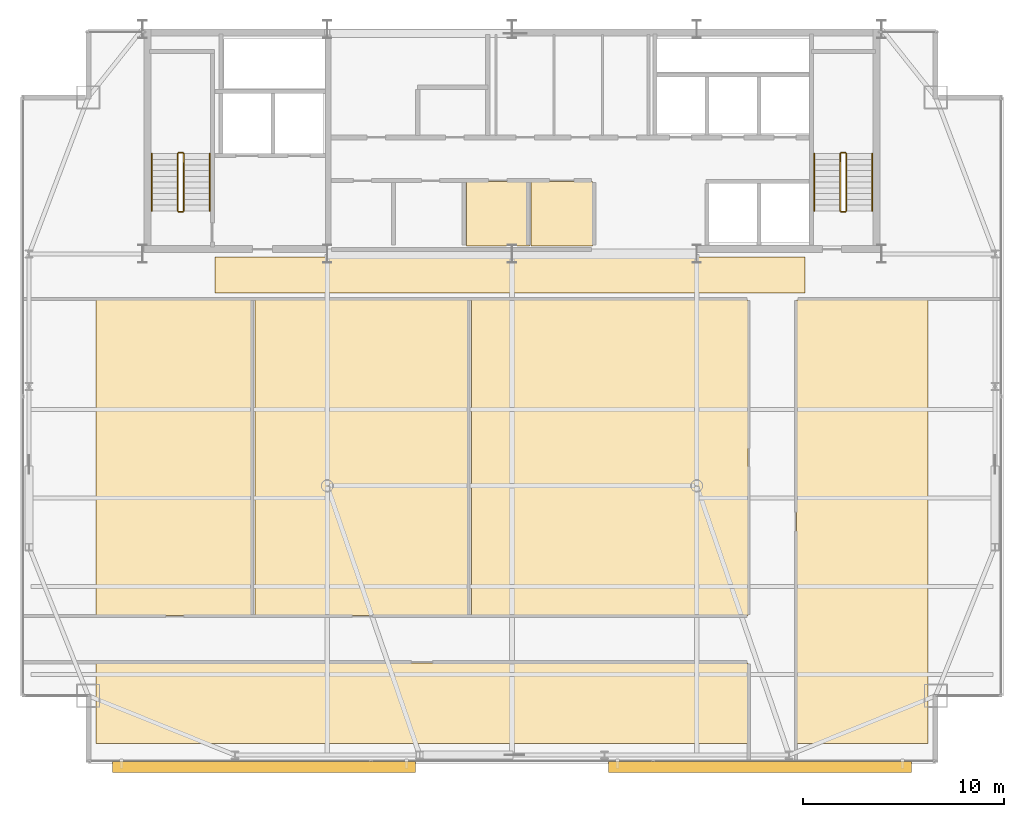
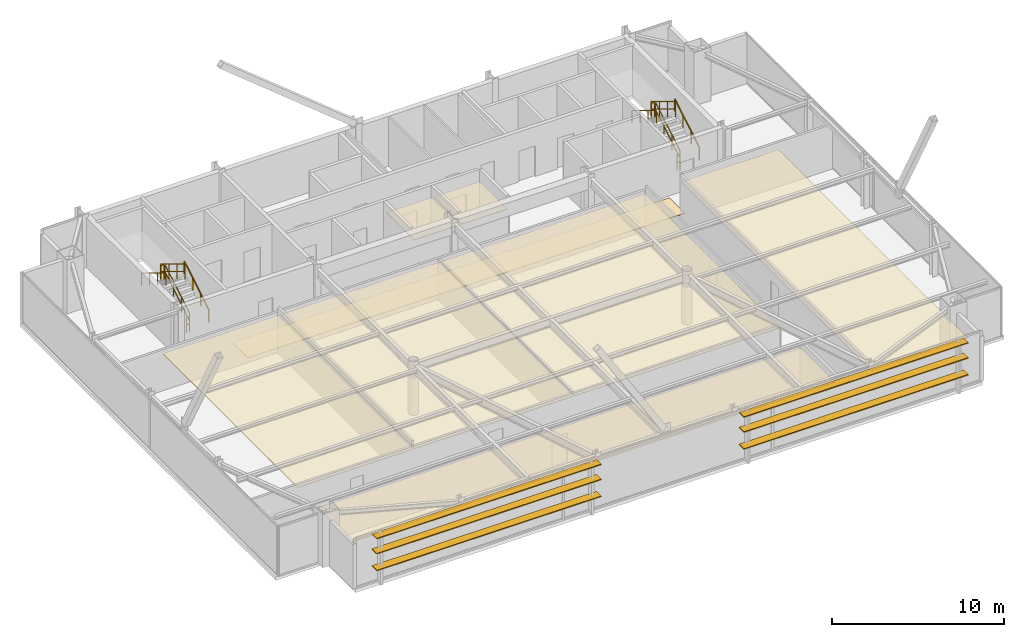
# One storey, part 27 of 27: 12 railings, 8 coverings, 6 shading devices.
"""IFC4 building model written with IfcOpenShell, lengths in metres."""

import ifcopenshell
import ifcopenshell.guid

model = None  # the IFC model being written
_history = None  # IfcOwnerHistory: only IFC2X3 demands one
_inside = {}  # id of a spatial element -> (the spatial element, [elements in it])
_under = {}  # id of a project, library or spatial element -> (it, [spatial elements below it])
_declared = {}  # id of a project -> (the project, [libraries it declares])
_typed = {}  # id of a type object -> (the type object, [elements of that type])
_made_of = {}  # id of a material, layer set ... -> (it, [elements and type objects made of it])


def new_model(schema):
    """Start an empty IFC model of exactly this schema.

    Asked for "IFC4X3", IfcOpenShell would pick the latest addendum, in which some entities
    have other attributes; the version numbers below select the first issue.
    IFC2X3 requires an IfcOwnerHistory on every rooted entity: one is made here for all.
    """
    global model, _history
    if schema == "IFC4X3":
        model = ifcopenshell.file(schema_version=(4, 3, 0, 0))
    else:
        model = ifcopenshell.file(schema=schema)
    _inside.clear()
    _under.clear()
    _declared.clear()
    _typed.clear()
    _made_of.clear()
    _history = None
    if model.schema == "IFC2X3":
        org = make("IfcOrganization", Name="unknown")
        user = make(
            "IfcPersonAndOrganization",
            ThePerson=make("IfcPerson", FamilyName="unknown"),
            TheOrganization=org,
        )
        app = make(
            "IfcApplication",
            ApplicationDeveloper=org,
            Version="unknown",
            ApplicationFullName="unknown",
            ApplicationIdentifier="unknown",
        )
        _history = make(
            "IfcOwnerHistory",
            OwningUser=user,
            OwningApplication=app,
            ChangeAction="ADDED",
            CreationDate=0,
        )
    return model


def make(cls, **values):
    """One entity of the class cls with the attributes given. An attribute that is None is left unset."""
    return model.create_entity(
        cls, **{name: value for name, value in values.items() if value is not None}
    )


def rooted(cls, **values):
    """An entity with a GlobalId (a new one), such as an element, a storey or a relation."""
    return make(cls, GlobalId=ifcopenshell.guid.new(), OwnerHistory=_history, **values)


def si_unit(unit_type, name, prefix=None):
    """IfcSIUnit, for example si_unit("LENGTHUNIT", "METRE", prefix="MILLI")."""
    return make("IfcSIUnit", UnitType=unit_type, Prefix=prefix, Name=name)


def assignment(units):
    """IfcUnitAssignment: the units of a project."""
    return None if units is None else make("IfcUnitAssignment", Units=units)


def point(xyz):
    """IfcCartesianPoint."""
    return None if xyz is None else make("IfcCartesianPoint", Coordinates=xyz)


def direction(xyz):
    """IfcDirection."""
    return None if xyz is None else make("IfcDirection", DirectionRatios=xyz)


def frame(location, z_axis=None, x_axis=None):
    """IfcAxis2Placement3D, a coordinate frame: its origin and axes. An axis left out is left unset."""
    return make(
        "IfcAxis2Placement3D",
        Location=point(location),
        Axis=direction(z_axis),
        RefDirection=direction(x_axis),
    )


def frame_2d(location, x_axis=None):
    """IfcAxis2Placement2D, a coordinate frame in the plane: its origin and x axis."""
    return make(
        "IfcAxis2Placement2D", Location=point(location), RefDirection=direction(x_axis)
    )


def origin():
    """The frame at (0, 0, 0) with its axes left unset."""
    return frame((0.0, 0.0, 0.0))


def origin_2d():
    """The frame at (0, 0) in the plane with its x axis left unset."""
    return frame_2d((0.0, 0.0))


def place(relative_to, where):
    """IfcLocalPlacement: puts the frame where relative to a parent placement (None: the world)."""
    return make(
        "IfcLocalPlacement", PlacementRelTo=relative_to, RelativePlacement=where
    )


def context(
    kind, dimensions, precision=None, world=None, true_north=None, identifier=None
):
    """IfcGeometricRepresentationContext, for example the 3D "Model" context."""
    return make(
        "IfcGeometricRepresentationContext",
        ContextIdentifier=identifier,
        ContextType=kind,
        CoordinateSpaceDimension=dimensions,
        Precision=precision,
        WorldCoordinateSystem=world,
        TrueNorth=true_north,
    )


def subcontext(parent, identifier, kind, view, scale=None):
    """IfcGeometricRepresentationSubContext, for example "Body" below "Model"."""
    return make(
        "IfcGeometricRepresentationSubContext",
        ContextIdentifier=identifier,
        ContextType=kind,
        ParentContext=parent,
        TargetScale=scale,
        TargetView=view,
    )


def project(units=None, contexts=None):
    """IfcProject with its units and contexts."""
    return rooted(
        "IfcProject",
        Name="project",
        RepresentationContexts=contexts,
        UnitsInContext=assignment(units),
    )


def spatial(cls, under=None, at=None, **own):
    """A site, building, storey or space (cls), placed at a placement, below another one or the project."""
    s = rooted(cls, ObjectPlacement=at, **own)
    if under is not None:
        _under.setdefault(under.id(), (under, []))[1].append(s)
    return s


def polyline(points):
    """IfcPolyline through the points."""
    return make("IfcPolyline", Points=[point(p) for p in points])


def profile(cls, at=None, kind="AREA", **sizes):
    """A parametric profile (cls). Its sizes go by their IFC names, for example OverallWidth=200.0."""
    return make(cls, ProfileType=kind, Position=at, **sizes)


def rectangle(**sizes):
    """IfcRectangleProfileDef."""
    return profile("IfcRectangleProfileDef", **sizes)


def outline(outer, holes=None, kind="AREA"):
    """IfcArbitraryClosedProfileDef: a profile drawn as a closed curve; with holes, ...WithVoids."""
    if holes is None:
        return make("IfcArbitraryClosedProfileDef", ProfileType=kind, OuterCurve=outer)
    return make(
        "IfcArbitraryProfileDefWithVoids",
        ProfileType=kind,
        OuterCurve=outer,
        InnerCurves=holes,
    )


def extrude(swept, where, along, depth):
    """IfcExtrudedAreaSolid: the profile swept, set in the frame where, extruded along a direction by depth."""
    return make(
        "IfcExtrudedAreaSolid",
        SweptArea=swept,
        Position=where,
        ExtrudedDirection=direction(along),
        Depth=depth,
    )


def shape(context_of_items, identifier, shape_type, items):
    """IfcShapeRepresentation: the items that make up one representation, for example the "Body"."""
    return make(
        "IfcShapeRepresentation",
        ContextOfItems=context_of_items,
        RepresentationIdentifier=identifier,
        RepresentationType=shape_type,
        Items=items,
    )


def source(mapping_origin, context_of_items, identifier, shape_type, items):
    """IfcRepresentationMap: a shape defined once, which mapped items show again and again."""
    return make(
        "IfcRepresentationMap",
        MappingOrigin=mapping_origin,
        MappedRepresentation=shape(context_of_items, identifier, shape_type, items),
    )


def transform(
    local_origin,
    x_axis=None,
    y_axis=None,
    z_axis=None,
    scale=None,
    scale2=None,
    scale3=None,
    uniform=True,
):
    """IfcCartesianTransformationOperator3D, or its non-uniform kind. x_axis, y_axis, z_axis: its Axis1, 2, 3."""
    if uniform:
        return make(
            "IfcCartesianTransformationOperator3D",
            Axis1=direction(x_axis),
            Axis2=direction(y_axis),
            LocalOrigin=point(local_origin),
            Scale=scale,
            Axis3=direction(z_axis),
        )
    return make(
        "IfcCartesianTransformationOperator3DnonUniform",
        Axis1=direction(x_axis),
        Axis2=direction(y_axis),
        LocalOrigin=point(local_origin),
        Scale=scale,
        Axis3=direction(z_axis),
        Scale2=scale2,
        Scale3=scale3,
    )


def mapped(mapping_source, mapping_target):
    """IfcMappedItem: shows the shape of a source again, moved by a transform."""
    return make(
        "IfcMappedItem", MappingSource=mapping_source, MappingTarget=mapping_target
    )


def material(Name=None, Category=None):
    """IfcMaterial."""
    return make("IfcMaterial", Name=Name, Category=Category)


def layer(
    of_material, thickness, ventilated=None, Name=None, Category=None, Priority=None
):
    """IfcMaterialLayer: one layer of a wall or slab, of a material (None: an air gap)."""
    return make(
        "IfcMaterialLayer",
        Material=of_material,
        LayerThickness=thickness,
        IsVentilated=ventilated,
        Name=Name,
        Category=Category,
        Priority=Priority,
    )


def layer_set(layers, Name=None):
    """IfcMaterialLayerSet."""
    return make("IfcMaterialLayerSet", MaterialLayers=layers, LayerSetName=Name)


def made_of(thing, what):
    """Note that an element or type object is made of a material, layer set ...; save() writes the relation."""
    if what is not None:
        _made_of.setdefault(what.id(), (what, []))[1].append(thing)
    return thing


def type_object(cls, material=None, **own):
    """A type object (cls), such as IfcWallType, which elements share."""
    return made_of(rooted(cls, **own), material)


def type_shapes(of_type, sources):
    """Give a type object the sources (RepresentationMaps) that its elements show as mapped items."""
    of_type.RepresentationMaps = sources


def element(
    cls,
    number,
    at=None,
    inside=None,
    cuts=None,
    type_object=None,
    material=None,
    context=None,
    identifier="Body",
    shape_type=None,
    held_by="IfcProductDefinitionShape",
    body=None,
    shapes=None,
    **own,
):
    """One element of the class cls, such as IfcWall. Its Tag is "e" and its number.

    at: its placement. inside: the storey or other place that contains it. cuts: it is an
    opening in that element (IfcRelVoidsElement). A single representation is given by context,
    identifier, shape_type and body (its items); several are given by shapes. held_by: the class
    of the entity that holds the representations. save() writes the other relations.
    """
    e = rooted(cls, Tag="e%d" % number, ObjectPlacement=at, **own)
    if body is not None:
        shapes = [shape(context, identifier, shape_type, body)]
    if shapes is not None:
        e.Representation = make(held_by, Representations=shapes)
    if inside is not None:
        _inside.setdefault(inside.id(), (inside, []))[1].append(e)
    if cuts is not None:
        rooted(
            "IfcRelVoidsElement", RelatingBuildingElement=cuts, RelatedOpeningElement=e
        )
    if type_object is not None:
        _typed.setdefault(type_object.id(), (type_object, []))[1].append(e)
    return made_of(e, material)


def aggregate(whole, parts):
    """IfcRelAggregates: a whole, such as a stair, and the parts it consists of."""
    return rooted("IfcRelAggregates", RelatingObject=whole, RelatedObjects=parts)


def save(model, path):
    """Write the relations noted so far, then the file.

    IfcRelAggregates (storeys below a building ...), IfcRelContainedInSpatialStructure (elements
    in a storey), IfcRelDefinesByType, IfcRelAssociatesMaterial and IfcRelDeclares: one each for
    every whole, place, type object, material and project.
    """
    for whole, parts in _under.values():
        aggregate(whole, parts)
    for where, things in _inside.values():
        rooted(
            "IfcRelContainedInSpatialStructure",
            RelatedElements=things,
            RelatingStructure=where,
        )
    for kind, things in _typed.values():
        rooted("IfcRelDefinesByType", RelatedObjects=things, RelatingType=kind)
    for what, things in _made_of.values():
        rooted("IfcRelAssociatesMaterial", RelatedObjects=things, RelatingMaterial=what)
    for by, libraries in _declared.values():
        rooted("IfcRelDeclares", RelatingContext=by, RelatedDefinitions=libraries)
    model.write(path)


model = new_model("IFC4")

# Units and contexts
model_context = context("Model", 3, precision=1e-05, world=origin(), true_north=direction((0.0, 1.0)))
body_context = subcontext(model_context, "Body", "Model", "MODEL_VIEW")
ifc_project = project(units=[si_unit("LENGTHUNIT", "METRE"), si_unit("AREAUNIT", "SQUARE_METRE"), si_unit("VOLUMEUNIT", "CUBIC_METRE"), si_unit("PLANEANGLEUNIT", "RADIAN"), si_unit("MASSUNIT", "GRAM", prefix="KILO")], contexts=[model_context])

# Site, building, storey
site_placement = place(None, origin())
site = spatial("IfcSite", under=ifc_project, at=site_placement, CompositionType="ELEMENT")
building_placement = place(site_placement, origin())
building = spatial("IfcBuilding", under=site, at=building_placement, Name="Varnel Quay Broadcast Tower", CompositionType="ELEMENT")
storey_placement = place(building_placement, frame((0.0, 0.0, 203.60009765625)))
storey = spatial("IfcBuildingStorey", under=building, at=storey_placement, Name="L50", CompositionType="ELEMENT", Elevation=203.60009765625)

# Coverings
ifc_material_1 = material(Name="Micro-Perforated Acoustic Ceiling Tile")
ifc_layer_1 = layer(ifc_material_1, 0.0400390625, Name="Micro-Perforated Acoustic Ceiling Tile")
ifc_layer_set_1 = layer_set([ifc_layer_1], Name="Micro-Perforated Acoustic Ceiling Tile")
covering_type_1 = type_object("IfcCoveringType", Name="Cov_AcousticCeiling", PredefinedType="CEILING", material=ifc_layer_set_1)
covering_1_placement = place(storey_placement, frame((0.0, 0.0, 2.579833984375)))
element("IfcCovering", 1, at=covering_1_placement, inside=storey, type_object=covering_type_1, Name="L50 Broadcast First-Aid & Quiet Room Acoustic Ceiling", PredefinedType="CEILING", context=body_context, shape_type="SweptSolid", body=[
    extrude(outline(polyline([(31.735107421875, 35.985107421875), (34.864990234375, 35.985107421875), (34.864990234375, 39.215087890625), (31.735107421875, 39.215087890625), (31.735107421875, 35.985107421875)])), origin(), (0.0, 0.0, 1.0), 0.0400390625),
])
covering_2_placement = place(storey_placement, frame((0.0, 0.0, 2.579833984375)))
element("IfcCovering", 2, at=covering_2_placement, inside=storey, type_object=covering_type_1, Name="L50 Zone Lighting Dimmer Room Acoustic Ceiling", PredefinedType="CEILING", context=body_context, shape_type="SweptSolid", body=[
    extrude(outline(polyline([(34.93505859375, 35.985107421875), (38.014892578125, 35.985107421875), (38.014892578125, 39.215087890625), (34.93505859375, 39.215087890625), (34.93505859375, 35.985107421875)])), origin(), (0.0, 0.0, 1.0), 0.0400390625),
])
covering_3_placement = place(storey_placement, frame((0.0, 0.0, 2.579833984375)))
element("IfcCovering", 3, at=covering_3_placement, inside=storey, type_object=covering_type_1, Name="L50 Editorial Boardroom 1 Acoustic Ceiling", PredefinedType="CEILING", context=body_context, shape_type="SweptSolid", body=[
    extrude(outline(polyline([(13.284912109375, 11.22509765625), (45.7548828125, 11.22509765625), (45.7548828125, 15.235107421875), (13.284912109375, 15.235107421875), (13.284912109375, 11.22509765625)])), origin(), (0.0, 0.0, 1.0), 0.0400390625),
])
covering_4_placement = place(storey_placement, frame((0.0, 0.0, 2.579833984375)))
element("IfcCovering", 4, at=covering_4_placement, inside=storey, type_object=covering_type_1, Name="L50 Break Kitchen 2 Acoustic Ceiling", PredefinedType="CEILING", context=body_context, shape_type="SweptSolid", body=[
    extrude(outline(polyline([(13.284912109375, 17.60498046875), (21.125, 17.60498046875), (21.125, 33.31494140625), (13.284912109375, 33.31494140625), (13.284912109375, 17.60498046875)])), origin(), (0.0, 0.0, 1.0), 0.0400390625),
])
covering_5_placement = place(storey_placement, frame((0.0, 0.0, 2.579833984375)))
element("IfcCovering", 5, at=covering_5_placement, inside=storey, type_object=covering_type_1, Name="L50 Press Green Lounge 3 Acoustic Ceiling", PredefinedType="CEILING", context=body_context, shape_type="SweptSolid", body=[
    extrude(outline(polyline([(21.195068359375, 17.60498046875), (31.905029296875, 17.60498046875), (31.905029296875, 33.31494140625), (21.195068359375, 33.31494140625), (21.195068359375, 17.60498046875)])), origin(), (0.0, 0.0, 1.0), 0.0400390625),
])
covering_6_placement = place(storey_placement, frame((0.0, 0.0, 2.579833984375)))
element("IfcCovering", 6, at=covering_6_placement, inside=storey, type_object=covering_type_1, Name="L50 Camera Locker Store 4 Acoustic Ceiling", PredefinedType="CEILING", context=body_context, shape_type="SweptSolid", body=[
    extrude(outline(polyline([(31.97509765625, 17.60498046875), (45.7548828125, 17.60498046875), (45.7548828125, 33.31494140625), (31.97509765625, 33.31494140625), (31.97509765625, 17.60498046875)])), origin(), (0.0, 0.0, 1.0), 0.0400390625),
])
covering_7_placement = place(storey_placement, frame((0.0, 0.0, 2.579833984375)))
element("IfcCovering", 7, at=covering_7_placement, inside=storey, type_object=covering_type_1, Name="L50 Broadcast Newsroom 5 Acoustic Ceiling", PredefinedType="CEILING", context=body_context, shape_type="SweptSolid", body=[
    extrude(outline(polyline([(48.175048828125, 11.22509765625), (54.715087890625, 11.22509765625), (54.715087890625, 33.31494140625), (48.175048828125, 33.31494140625), (48.175048828125, 11.22509765625)])), origin(), (0.0, 0.0, 1.0), 0.0400390625),
])
ifc_material_2 = material(Name="Polished Terrazzo & Broadcast Raised Flooring")
ifc_layer_2 = layer(ifc_material_2, 0.0400390625, Name="Polished Terrazzo & Broadcast Raised Flooring")
ifc_layer_set_2 = layer_set([ifc_layer_2], Name="Polished Terrazzo & Broadcast Raised Flooring")
covering_type_2 = type_object("IfcCoveringType", Name="Cov_TerrazzoFloor", PredefinedType="FLOORING", material=ifc_layer_set_2)
covering_8_placement = place(storey_placement, origin())
element("IfcCovering", 8, at=covering_8_placement, inside=storey, type_object=covering_type_2, Name="L50 Corridor Terrazzo Flooring", PredefinedType="FLOORING", context=body_context, shape_type="SweptSolid", body=[
    extrude(outline(polyline([(19.199951171875, 33.64990234375), (48.60009765625, 33.64990234375), (48.60009765625, 35.449951171875), (19.199951171875, 35.449951171875), (19.199951171875, 33.64990234375)])), origin(), (0.0, 0.0, 1.0), 0.039794921875),
])

# Railings
ifc_material_3 = material(Name="Painted Steel Guard and Handrail CSA G40.21 350W", Category="steel")
railing_type_1 = type_object("IfcRailingType", Name="Rail_StairGuard1100", PredefinedType="GUARDRAIL", material=ifc_material_3)
railing_1_placement = place(storey_placement, frame((17.64990234375, 37.75, 0.172607421875)))
element("IfcRailing", 9, at=railing_1_placement, inside=storey, type_object=railing_type_1, Name="L50 ST-01 stair guard 1", PredefinedType="GUARDRAIL", context=body_context, shape_type="SweptSolid", body=[
    extrude(rectangle(XDim=0.048095703125, YDim=0.048095703125, at=origin_2d()), frame((0.0, 0.0, 1.076171875), z_axis=(0.0, 0.855202751398, 0.518293598264), x_axis=(-1.0, 0.0, 0.0)), (0.0, 0.0, 1.0), 3.332763671875),
    extrude(rectangle(XDim=0.048095703125, YDim=0.048095703125, at=origin_2d()), frame((0.0, 0.0, 0.550048828125), z_axis=(0.0, 0.855202751398, 0.518293598264), x_axis=(-1.0, 0.0, 0.0)), (0.0, 0.0, 1.0), 3.332763671875),
    extrude(rectangle(XDim=0.0419921875, YDim=0.0419921875, at=origin_2d()), origin(), (0.0, 0.0, 1.0), 1.052001953125),
    extrude(rectangle(XDim=0.0419921875, YDim=0.0419921875, at=origin_2d()), frame((0.0, 0.949951171875, 0.57568359375)), (0.0, 0.0, 1.0), 1.052001953125),
    extrude(rectangle(XDim=0.0419921875, YDim=0.0419921875, at=origin_2d()), frame((0.0, 1.900146484375, 1.151611328125)), (0.0, 0.0, 1.0), 1.052001953125),
    extrude(rectangle(XDim=0.0419921875, YDim=0.0419921875, at=origin_2d()), frame((0.0, 2.85009765625, 1.727294921875)), (0.0, 0.0, 1.0), 1.052001953125),
])
railing_2_placement = place(storey_placement, frame((17.60009765625, 40.64990234375, 1.89990234375)))
element("IfcRailing", 10, at=railing_2_placement, inside=storey, type_object=railing_type_1, Name="L50 ST-01 stair guard 2", PredefinedType="GUARDRAIL", context=body_context, shape_type="SweptSolid", body=[
    extrude(rectangle(XDim=0.048095703125, YDim=0.048095703125, at=origin_2d()), frame((0.0, 0.0, 1.076171875), z_axis=(-1.0, 0.0, 0.0), x_axis=(0.0, -1.0, 0.0)), (0.0, 0.0, 1.0), 0.2001953125),
    extrude(rectangle(XDim=0.048095703125, YDim=0.048095703125, at=origin_2d()), frame((0.0, 0.0, 0.550048828125), z_axis=(-1.0, 0.0, 0.0), x_axis=(0.0, -1.0, 0.0)), (0.0, 0.0, 1.0), 0.2001953125),
    extrude(rectangle(XDim=0.0419921875, YDim=0.0419921875, at=origin_2d()), origin(), (0.0, 0.0, 1.0), 1.052001953125),
    extrude(rectangle(XDim=0.0419921875, YDim=0.0419921875, at=origin_2d()), frame((-0.2001953125, 0.0, 0.0)), (0.0, 0.0, 1.0), 1.052001953125),
])
railing_3_placement = place(storey_placement, frame((17.35009765625, 40.60009765625, 2.072509765625)))
element("IfcRailing", 11, at=railing_3_placement, inside=storey, type_object=railing_type_1, Name="L50 ST-01 stair guard 3", PredefinedType="GUARDRAIL", context=body_context, shape_type="SweptSolid", body=[
    extrude(rectangle(XDim=0.048095703125, YDim=0.048095703125, at=origin_2d()), frame((0.0, 0.0, 1.076171875), z_axis=(0.0, -0.855202751398, 0.518293598264), x_axis=(1.0, 0.0, 0.0)), (0.0, 0.0, 1.0), 3.332763671875),
    extrude(rectangle(XDim=0.048095703125, YDim=0.048095703125, at=origin_2d()), frame((0.0, 0.0, 0.550048828125), z_axis=(0.0, -0.855202751398, 0.518293598264), x_axis=(1.0, 0.0, 0.0)), (0.0, 0.0, 1.0), 3.332763671875),
    extrude(rectangle(XDim=0.0419921875, YDim=0.0419921875, at=origin_2d()), origin(), (0.0, 0.0, 1.0), 1.052001953125),
    extrude(rectangle(XDim=0.0419921875, YDim=0.0419921875, at=origin_2d()), frame((0.0, -0.949951171875, 0.57568359375)), (0.0, 0.0, 1.0), 1.052001953125),
    extrude(rectangle(XDim=0.0419921875, YDim=0.0419921875, at=origin_2d()), frame((0.0, -1.900146484375, 1.151611328125)), (0.0, 0.0, 1.0), 1.052001953125),
    extrude(rectangle(XDim=0.0419921875, YDim=0.0419921875, at=origin_2d()), frame((0.0, -2.85009765625, 1.727294921875)), (0.0, 0.0, 1.0), 1.052001953125),
])
railing_4_placement = place(storey_placement, frame((17.60009765625, 37.699951171875, 0.0)))
element("IfcRailing", 12, at=railing_4_placement, inside=storey, type_object=railing_type_1, Name="L50 ST-01 stair guard 4", PredefinedType="GUARDRAIL", context=body_context, shape_type="SweptSolid", body=[
    extrude(rectangle(XDim=0.048095703125, YDim=0.048095703125, at=origin_2d()), frame((0.0, 0.0, 1.076171875), z_axis=(-1.0, 0.0, 0.0), x_axis=(0.0, -1.0, 0.0)), (0.0, 0.0, 1.0), 0.2001953125),
    extrude(rectangle(XDim=0.048095703125, YDim=0.048095703125, at=origin_2d()), frame((0.0, 0.0, 0.550048828125), z_axis=(-1.0, 0.0, 0.0), x_axis=(0.0, -1.0, 0.0)), (0.0, 0.0, 1.0), 0.2001953125),
    extrude(rectangle(XDim=0.0419921875, YDim=0.0419921875, at=origin_2d()), origin(), (0.0, 0.0, 1.0), 1.052001953125),
    extrude(rectangle(XDim=0.0419921875, YDim=0.0419921875, at=origin_2d()), frame((-0.2001953125, 0.0, 0.0)), (0.0, 0.0, 1.0), 1.052001953125),
])
railing_5_placement = place(storey_placement, frame((50.64990234375, 37.75, 0.172607421875)))
element("IfcRailing", 13, at=railing_5_placement, inside=storey, type_object=railing_type_1, Name="L50 ST-02 stair guard 1", PredefinedType="GUARDRAIL", context=body_context, shape_type="SweptSolid", body=[
    extrude(rectangle(XDim=0.048095703125, YDim=0.048095703125, at=origin_2d()), frame((0.0, 0.0, 1.076171875), z_axis=(0.0, 0.855202751398, 0.518293598264), x_axis=(-1.0, 0.0, 0.0)), (0.0, 0.0, 1.0), 3.332763671875),
    extrude(rectangle(XDim=0.048095703125, YDim=0.048095703125, at=origin_2d()), frame((0.0, 0.0, 0.550048828125), z_axis=(0.0, 0.855202751398, 0.518293598264), x_axis=(-1.0, 0.0, 0.0)), (0.0, 0.0, 1.0), 3.332763671875),
    extrude(rectangle(XDim=0.0419921875, YDim=0.0419921875, at=origin_2d()), origin(), (0.0, 0.0, 1.0), 1.052001953125),
    extrude(rectangle(XDim=0.0419921875, YDim=0.0419921875, at=origin_2d()), frame((0.0, 0.949951171875, 0.57568359375)), (0.0, 0.0, 1.0), 1.052001953125),
    extrude(rectangle(XDim=0.0419921875, YDim=0.0419921875, at=origin_2d()), frame((0.0, 1.900146484375, 1.151611328125)), (0.0, 0.0, 1.0), 1.052001953125),
    extrude(rectangle(XDim=0.0419921875, YDim=0.0419921875, at=origin_2d()), frame((0.0, 2.85009765625, 1.727294921875)), (0.0, 0.0, 1.0), 1.052001953125),
])
railing_6_placement = place(storey_placement, frame((50.60009765625, 40.64990234375, 1.89990234375)))
element("IfcRailing", 14, at=railing_6_placement, inside=storey, type_object=railing_type_1, Name="L50 ST-02 stair guard 2", PredefinedType="GUARDRAIL", context=body_context, shape_type="SweptSolid", body=[
    extrude(rectangle(XDim=0.048095703125, YDim=0.048095703125, at=origin_2d()), frame((0.0, 0.0, 1.076171875), z_axis=(-1.0, 0.0, 0.0), x_axis=(0.0, -1.0, 0.0)), (0.0, 0.0, 1.0), 0.2001953125),
    extrude(rectangle(XDim=0.048095703125, YDim=0.048095703125, at=origin_2d()), frame((0.0, 0.0, 0.550048828125), z_axis=(-1.0, 0.0, 0.0), x_axis=(0.0, -1.0, 0.0)), (0.0, 0.0, 1.0), 0.2001953125),
    extrude(rectangle(XDim=0.0419921875, YDim=0.0419921875, at=origin_2d()), origin(), (0.0, 0.0, 1.0), 1.052001953125),
    extrude(rectangle(XDim=0.0419921875, YDim=0.0419921875, at=origin_2d()), frame((-0.2001953125, 0.0, 0.0)), (0.0, 0.0, 1.0), 1.052001953125),
])
railing_7_placement = place(storey_placement, frame((50.35009765625, 40.60009765625, 2.072509765625)))
element("IfcRailing", 15, at=railing_7_placement, inside=storey, type_object=railing_type_1, Name="L50 ST-02 stair guard 3", PredefinedType="GUARDRAIL", context=body_context, shape_type="SweptSolid", body=[
    extrude(rectangle(XDim=0.048095703125, YDim=0.048095703125, at=origin_2d()), frame((0.0, 0.0, 1.076171875), z_axis=(0.0, -0.855202751398, 0.518293598264), x_axis=(1.0, 0.0, 0.0)), (0.0, 0.0, 1.0), 3.332763671875),
    extrude(rectangle(XDim=0.048095703125, YDim=0.048095703125, at=origin_2d()), frame((0.0, 0.0, 0.550048828125), z_axis=(0.0, -0.855202751398, 0.518293598264), x_axis=(1.0, 0.0, 0.0)), (0.0, 0.0, 1.0), 3.332763671875),
    extrude(rectangle(XDim=0.0419921875, YDim=0.0419921875, at=origin_2d()), origin(), (0.0, 0.0, 1.0), 1.052001953125),
    extrude(rectangle(XDim=0.0419921875, YDim=0.0419921875, at=origin_2d()), frame((0.0, -0.949951171875, 0.57568359375)), (0.0, 0.0, 1.0), 1.052001953125),
    extrude(rectangle(XDim=0.0419921875, YDim=0.0419921875, at=origin_2d()), frame((0.0, -1.900146484375, 1.151611328125)), (0.0, 0.0, 1.0), 1.052001953125),
    extrude(rectangle(XDim=0.0419921875, YDim=0.0419921875, at=origin_2d()), frame((0.0, -2.85009765625, 1.727294921875)), (0.0, 0.0, 1.0), 1.052001953125),
])
railing_8_placement = place(storey_placement, frame((50.60009765625, 37.699951171875, 0.0)))
element("IfcRailing", 16, at=railing_8_placement, inside=storey, type_object=railing_type_1, Name="L50 ST-02 stair guard 4", PredefinedType="GUARDRAIL", context=body_context, shape_type="SweptSolid", body=[
    extrude(rectangle(XDim=0.048095703125, YDim=0.048095703125, at=origin_2d()), frame((0.0, 0.0, 1.076171875), z_axis=(-1.0, 0.0, 0.0), x_axis=(0.0, -1.0, 0.0)), (0.0, 0.0, 1.0), 0.2001953125),
    extrude(rectangle(XDim=0.048095703125, YDim=0.048095703125, at=origin_2d()), frame((0.0, 0.0, 0.550048828125), z_axis=(-1.0, 0.0, 0.0), x_axis=(0.0, -1.0, 0.0)), (0.0, 0.0, 1.0), 0.2001953125),
    extrude(rectangle(XDim=0.0419921875, YDim=0.0419921875, at=origin_2d()), origin(), (0.0, 0.0, 1.0), 1.052001953125),
    extrude(rectangle(XDim=0.0419921875, YDim=0.0419921875, at=origin_2d()), frame((-0.2001953125, 0.0, 0.0)), (0.0, 0.0, 1.0), 1.052001953125),
])
railing_type_2 = type_object("IfcRailingType", Name="Rail_StairHandrail900", PredefinedType="HANDRAIL", material=ifc_material_3)
railing_9_placement = place(storey_placement, frame((18.949951171875, 37.75, 0.172607421875)))
element("IfcRailing", 17, at=railing_9_placement, inside=storey, type_object=railing_type_2, Name="L50 ST-01 stair handrail 1", PredefinedType="HANDRAIL", context=body_context, shape_type="SweptSolid", body=[
    extrude(rectangle(XDim=0.048095703125, YDim=0.048095703125, at=origin_2d()), frame((0.0, 0.0, 0.8759765625), z_axis=(0.0, 0.855202751398, 0.518293598264), x_axis=(-1.0, 0.0, 0.0)), (0.0, 0.0, 1.0), 3.332763671875),
    extrude(rectangle(XDim=0.0419921875, YDim=0.0419921875, at=origin_2d()), origin(), (0.0, 0.0, 1.0), 0.851806640625),
    extrude(rectangle(XDim=0.0419921875, YDim=0.0419921875, at=origin_2d()), frame((0.0, 0.949951171875, 0.57568359375)), (0.0, 0.0, 1.0), 0.851806640625),
    extrude(rectangle(XDim=0.0419921875, YDim=0.0419921875, at=origin_2d()), frame((0.0, 1.900146484375, 1.151611328125)), (0.0, 0.0, 1.0), 0.851806640625),
    extrude(rectangle(XDim=0.0419921875, YDim=0.0419921875, at=origin_2d()), frame((0.0, 2.85009765625, 1.727294921875)), (0.0, 0.0, 1.0), 0.851806640625),
])
railing_10_placement = place(storey_placement, frame((16.050048828125, 40.60009765625, 2.072509765625)))
element("IfcRailing", 18, at=railing_10_placement, inside=storey, type_object=railing_type_2, Name="L50 ST-01 stair handrail 2", PredefinedType="HANDRAIL", context=body_context, shape_type="SweptSolid", body=[
    extrude(rectangle(XDim=0.048095703125, YDim=0.048095703125, at=origin_2d()), frame((0.0, 0.0, 0.8759765625), z_axis=(0.0, -0.855202751398, 0.518293598264), x_axis=(1.0, 0.0, 0.0)), (0.0, 0.0, 1.0), 3.332763671875),
    extrude(rectangle(XDim=0.0419921875, YDim=0.0419921875, at=origin_2d()), origin(), (0.0, 0.0, 1.0), 0.851806640625),
    extrude(rectangle(XDim=0.0419921875, YDim=0.0419921875, at=origin_2d()), frame((0.0, -0.949951171875, 0.57568359375)), (0.0, 0.0, 1.0), 0.851806640625),
    extrude(rectangle(XDim=0.0419921875, YDim=0.0419921875, at=origin_2d()), frame((0.0, -1.900146484375, 1.151611328125)), (0.0, 0.0, 1.0), 0.851806640625),
    extrude(rectangle(XDim=0.0419921875, YDim=0.0419921875, at=origin_2d()), frame((0.0, -2.85009765625, 1.727294921875)), (0.0, 0.0, 1.0), 0.851806640625),
])
railing_11_placement = place(storey_placement, frame((51.949951171875, 37.75, 0.172607421875)))
element("IfcRailing", 19, at=railing_11_placement, inside=storey, type_object=railing_type_2, Name="L50 ST-02 stair handrail 1", PredefinedType="HANDRAIL", context=body_context, shape_type="SweptSolid", body=[
    extrude(rectangle(XDim=0.048095703125, YDim=0.048095703125, at=origin_2d()), frame((0.0, 0.0, 0.8759765625), z_axis=(0.0, 0.855202751398, 0.518293598264), x_axis=(-1.0, 0.0, 0.0)), (0.0, 0.0, 1.0), 3.332763671875),
    extrude(rectangle(XDim=0.0419921875, YDim=0.0419921875, at=origin_2d()), origin(), (0.0, 0.0, 1.0), 0.851806640625),
    extrude(rectangle(XDim=0.0419921875, YDim=0.0419921875, at=origin_2d()), frame((0.0, 0.949951171875, 0.57568359375)), (0.0, 0.0, 1.0), 0.851806640625),
    extrude(rectangle(XDim=0.0419921875, YDim=0.0419921875, at=origin_2d()), frame((0.0, 1.900146484375, 1.151611328125)), (0.0, 0.0, 1.0), 0.851806640625),
    extrude(rectangle(XDim=0.0419921875, YDim=0.0419921875, at=origin_2d()), frame((0.0, 2.85009765625, 1.727294921875)), (0.0, 0.0, 1.0), 0.851806640625),
])
railing_12_placement = place(storey_placement, frame((49.050048828125, 40.60009765625, 2.072509765625)))
element("IfcRailing", 20, at=railing_12_placement, inside=storey, type_object=railing_type_2, Name="L50 ST-02 stair handrail 2", PredefinedType="HANDRAIL", context=body_context, shape_type="SweptSolid", body=[
    extrude(rectangle(XDim=0.048095703125, YDim=0.048095703125, at=origin_2d()), frame((0.0, 0.0, 0.8759765625), z_axis=(0.0, -0.855202751398, 0.518293598264), x_axis=(1.0, 0.0, 0.0)), (0.0, 0.0, 1.0), 3.332763671875),
    extrude(rectangle(XDim=0.0419921875, YDim=0.0419921875, at=origin_2d()), origin(), (0.0, 0.0, 1.0), 0.851806640625),
    extrude(rectangle(XDim=0.0419921875, YDim=0.0419921875, at=origin_2d()), frame((0.0, -0.949951171875, 0.57568359375)), (0.0, 0.0, 1.0), 0.851806640625),
    extrude(rectangle(XDim=0.0419921875, YDim=0.0419921875, at=origin_2d()), frame((0.0, -1.900146484375, 1.151611328125)), (0.0, 0.0, 1.0), 0.851806640625),
    extrude(rectangle(XDim=0.0419921875, YDim=0.0419921875, at=origin_2d()), frame((0.0, -2.85009765625, 1.727294921875)), (0.0, 0.0, 1.0), 0.851806640625),
])

# Shading devices
ifc_material_4 = material(Name="Bronze-Terracotta Extruded Ceramic Blade", Category="masonry")
ifc_layer_3 = layer(ifc_material_4, 0.06494140625, Name="Bronze-Terracotta Extruded Ceramic Blade")
ifc_layer_set_3 = layer_set([ifc_layer_3], Name="Bronze-Terracotta Extruded Ceramic Blade")
shading_device_type = type_object("IfcShadingDeviceType", Name="Shade_LouvreBlade550", PredefinedType="JALOUSIE", material=ifc_layer_set_3)
shared_shape = source(origin(), body_context, "Body", "SweptSolid", [
    extrude(rectangle(XDim=15.10009765625, YDim=0.550048828125, at=origin_2d()), origin(), (0.0, 0.0, 1.0), 0.06494140625),
])
type_shapes(shading_device_type, [shared_shape])
for number, where, z_axis, x_axis, name in (
    (21, (21.64990234375, 10.06005859375, 1.117431640625), (0.0, 0.0, 1.0), (1.0, 0.0, 0.0), "L50 Lobe 1 Horizontal Louvre Blade 1"),
    (22, (21.64990234375, 10.06005859375, 2.3173828125), (0.0, 0.0, 1.0), (1.0, 0.0, 0.0), "L50 Lobe 1 Horizontal Louvre Blade 2"),
    (23, (21.64990234375, 10.06005859375, 3.387451171875), (0.0, 0.0, 1.0), (1.0, 0.0, 0.0), "L50 Lobe 1 Horizontal Louvre Blade 3"),
    (24, (46.35009765625, 10.06005859375, 1.117431640625), (0.0, 0.0, 1.0), (1.0, 0.0, 0.0), "L50 Lobe 2 Horizontal Louvre Blade 1"),
    (25, (46.35009765625, 10.06005859375, 2.3173828125), (0.0, 0.0, 1.0), (1.0, 0.0, 0.0), "L50 Lobe 2 Horizontal Louvre Blade 2"),
    (26, (46.35009765625, 10.06005859375, 3.387451171875), (0.0, 0.0, 1.0), (1.0, 0.0, 0.0), "L50 Lobe 2 Horizontal Louvre Blade 3"),
):
    element("IfcShadingDevice", number, at=place(storey_placement, frame(where, z_axis=z_axis, x_axis=x_axis)), inside=storey, type_object=shading_device_type, Name=name, PredefinedType="JALOUSIE", context=body_context, shape_type="MappedRepresentation", body=[
        mapped(shared_shape, transform((0.0, 0.0, 0.0), x_axis=(1.0, 0.0, 0.0), y_axis=(0.0, 1.0, 0.0), z_axis=(0.0, 0.0, 1.0), scale=1.0)),
    ])

save(model, "model.ifc")
